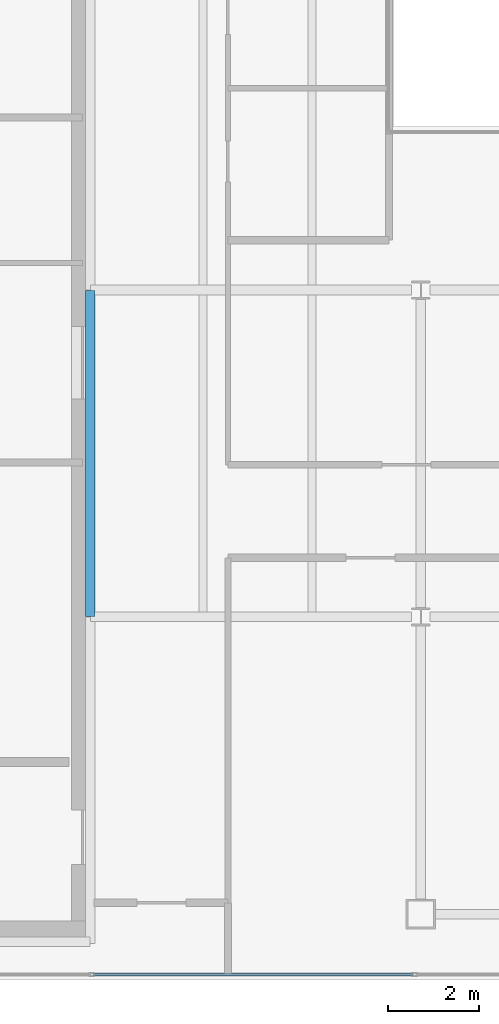
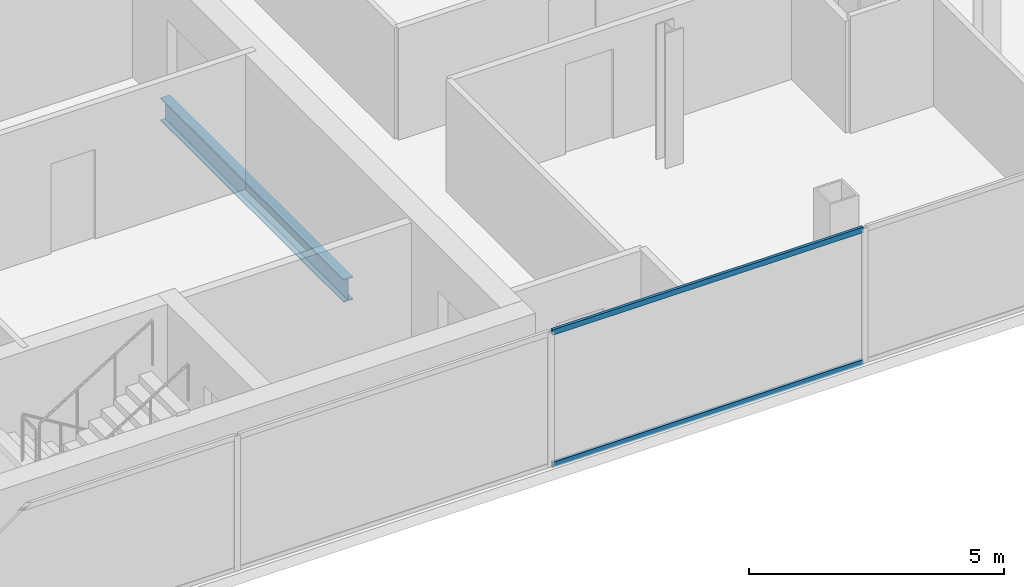
# One storey, part 4 of 23: 2 members, 1 beam, 1 element without a shape of its own.
"""IFC4 building model written with IfcOpenShell, lengths in metres."""

from ifc_helpers import new_model, si_unit, direction, frame, origin, origin_2d, place, context, subcontext, project, spatial, hollow_rectangle, i_section, extrude, material, material_profile, profile_set, type_object, element, aggregate, save


model = new_model("IFC4")

# Units and contexts
model_context = context("Model", 3, precision=1e-05, world=origin(), true_north=direction((0.0, 1.0)))
body_context = subcontext(model_context, "Body", "Model", "MODEL_VIEW")
ifc_project = project(units=[si_unit("LENGTHUNIT", "METRE"), si_unit("AREAUNIT", "SQUARE_METRE"), si_unit("VOLUMEUNIT", "CUBIC_METRE"), si_unit("PLANEANGLEUNIT", "RADIAN"), si_unit("MASSUNIT", "GRAM", prefix="KILO")], contexts=[model_context])

# Site, building, storey
site_placement = place(None, origin())
site = spatial("IfcSite", under=ifc_project, at=site_placement, CompositionType="ELEMENT")
building_placement = place(site_placement, origin())
building = spatial("IfcBuilding", under=site, at=building_placement, Name="Cobrela Telecom Tower", CompositionType="ELEMENT")
storey_placement = place(building_placement, frame((0.0, 0.0, 279.64990234375)))
storey = spatial("IfcBuildingStorey", under=building, at=storey_placement, Name="L73", CompositionType="ELEMENT", Elevation=279.64990234375)

# Beam
ifc_material_1 = material(Name="Steel ASTM A992 Grade 50", Category="steel")
ifc_material_profile_1 = material_profile(ifc_material_1, i_section(OverallWidth=0.212890625, OverallDepth=0.549072265625, WebThickness=0.0146484375, FlangeThickness=0.023681640625, FilletRadius=0.013916015625, at=origin_2d()), Name="W21X93")
ifc_profile_set_1 = profile_set([ifc_material_profile_1], Name="Steel ASTM A992 Grade 50")
beam_type = type_object("IfcBeamType", Name="BM-GIRD-08", PredefinedType="USERDEFINED", material=ifc_profile_set_1)
beam_placement = place(storey_placement, frame((14.320068359375, 14.405029296875, -0.534423828125), z_axis=(0.0, 1.0, 0.0), x_axis=(-1.0, 0.0, 0.0)))
element("IfcBeam", 1, at=beam_placement, inside=storey, type_object=beam_type, Name="L73 Primary Girder Y22", ObjectType="GIRDER", PredefinedType="USERDEFINED", context=body_context, shape_type="SweptSolid", body=[
    extrude(i_section(OverallWidth=0.212890625, OverallDepth=0.549072265625, WebThickness=0.0146484375, FlangeThickness=0.023681640625, FilletRadius=0.013916015625, at=origin_2d()), origin(), (0.0, 0.0, 1.0), 7.18994140625),
])

# Curtain wall, members
ifc_material_2 = material(Name="Anodized Bronze Aluminium 6063-T6", Category="aluminium")
curtain_wall_type = type_object("IfcCurtainWallType", Name="CW-SYS-OFF-HI", PredefinedType="USERDEFINED", material=ifc_material_2)
curtain_wall_placement = place(storey_placement, origin())
curtain_wall = element("IfcCurtainWall", 2, at=curtain_wall_placement, inside=storey, type_object=curtain_wall_type, Name="L73 Unitised Bronze Curtain Wall 15", ObjectType="UNITISED CURTAIN WALL", PredefinedType="USERDEFINED")
ifc_material_profile_2 = material_profile(ifc_material_2, hollow_rectangle(XDim=0.06494140625, YDim=0.1298828125, WallThickness=0.00390625, at=origin_2d()), Name="ALU 65x130x4")
ifc_profile_set_2 = profile_set([ifc_material_profile_2], Name="Anodized Bronze Aluminium 6063-T6")
member_type = type_object("IfcMemberType", Name="CW-SYS-OFF-HI-TRN", PredefinedType="USERDEFINED", material=ifc_profile_set_2)
member_1_placement = place(storey_placement, frame((21.429931640625, 6.52001953125, 0.03271484375), z_axis=(-1.0, 0.0, 0.0), x_axis=(0.0, -1.0, 0.0)))
member_1 = element("IfcMember", 3, at=member_1_placement, type_object=member_type, Name="CW-OFF-HI transom 4.1", ObjectType="TRANSOM", PredefinedType="USERDEFINED", context=body_context, shape_type="SweptSolid", body=[
    extrude(hollow_rectangle(XDim=0.06494140625, YDim=0.1298828125, WallThickness=0.00390625, at=origin_2d()), origin(), (0.0, 0.0, 1.0), 7.044921875),
])
member_2_placement = place(storey_placement, frame((21.429931640625, 6.52001953125, 3.20751953125), z_axis=(-1.0, 0.0, 0.0), x_axis=(0.0, -1.0, 0.0)))
member_2 = element("IfcMember", 4, at=member_2_placement, type_object=member_type, Name="CW-OFF-HI transom 4.2", ObjectType="TRANSOM", PredefinedType="USERDEFINED", context=body_context, shape_type="SweptSolid", body=[
    extrude(hollow_rectangle(XDim=0.06494140625, YDim=0.1298828125, WallThickness=0.00390625, at=origin_2d()), origin(), (0.0, 0.0, 1.0), 7.044921875),
])
aggregate(curtain_wall, [member_1, member_2])

save(model, "model.ifc")
